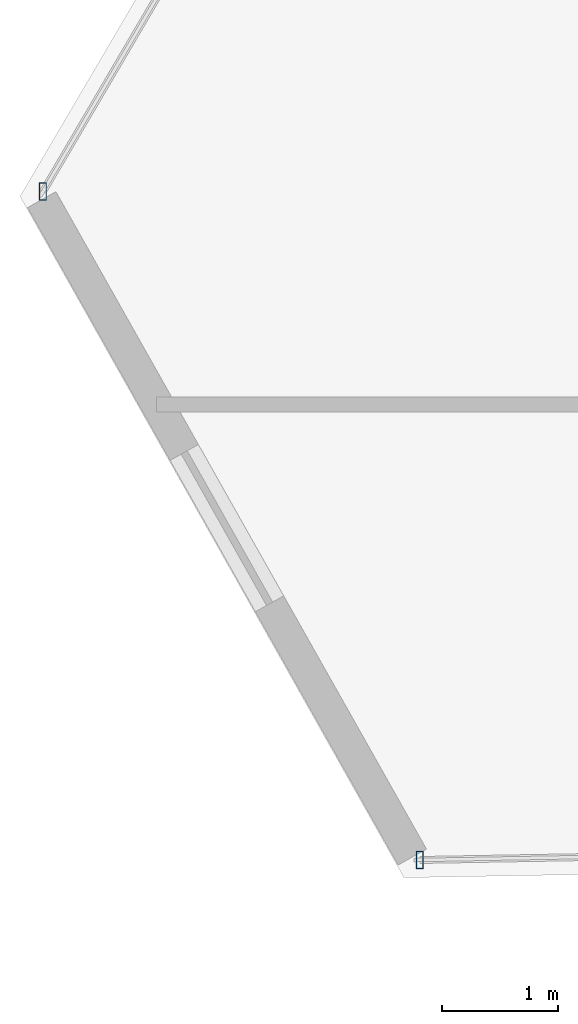
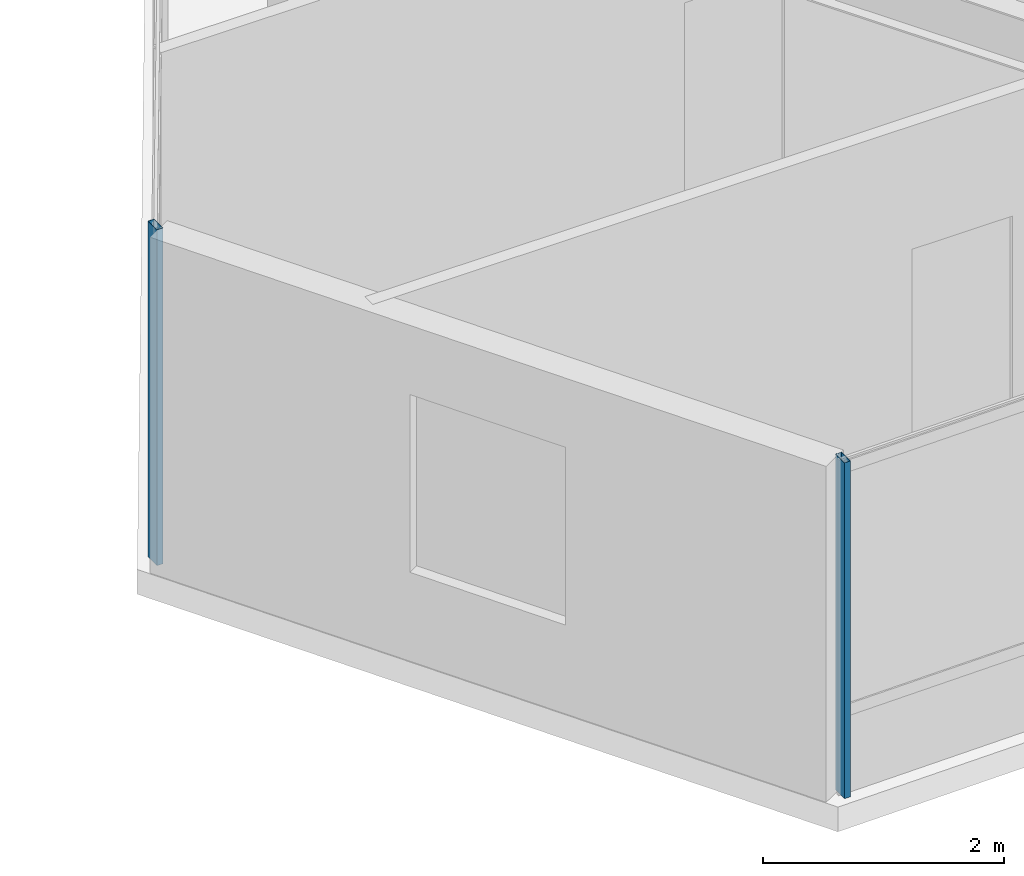
# One storey, part 3 of 42: 2 members, 2 elements without a shape of their own.
"""IFC4 building model written with IfcOpenShell, lengths in metres."""

from ifc_helpers import new_model, si_unit, direction, frame, origin, origin_2d, place, context, subcontext, project, spatial, hollow_rectangle, extrude, source, transform, mapped, material, material_profile, profile_set, type_object, type_shapes, element, aggregate, save


model = new_model("IFC4")

# Units and contexts
model_context = context("Model", 3, precision=1e-05, world=origin(), true_north=direction((0.0, 1.0)))
body_context = subcontext(model_context, "Body", "Model", "MODEL_VIEW")
ifc_project = project(units=[si_unit("LENGTHUNIT", "METRE"), si_unit("AREAUNIT", "SQUARE_METRE"), si_unit("VOLUMEUNIT", "CUBIC_METRE"), si_unit("PLANEANGLEUNIT", "RADIAN"), si_unit("MASSUNIT", "GRAM", prefix="KILO")], contexts=[model_context])

# Site, building, storey
site_placement = place(None, origin())
site = spatial("IfcSite", under=ifc_project, at=site_placement, CompositionType="ELEMENT")
building_placement = place(site_placement, origin())
building = spatial("IfcBuilding", under=site, at=building_placement, Name="Caelisora Broadcast Tower", CompositionType="ELEMENT")
storey_placement = place(building_placement, frame((0.0, 0.0, 195.0)))
storey = spatial("IfcBuildingStorey", under=building, at=storey_placement, Name="L51", CompositionType="ELEMENT", Elevation=195.0)

# Curtain wall, member
ifc_material_1 = material(Name="Unitised Aluminium and Low-E Glass Curtain Wall", Category="glass")
curtain_wall_type = type_object("IfcCurtainWallType", Name="CW-Z4", PredefinedType="NOTDEFINED", material=ifc_material_1)
curtain_wall_1_placement = place(storey_placement, origin())
curtain_wall_1 = element("IfcCurtainWall", 1, at=curtain_wall_1_placement, inside=storey, type_object=curtain_wall_type, Name="L51 curtain wall CW-Z4", PredefinedType="NOTDEFINED")
ifc_material_2 = material(Name="Aluminium 6063-T6 Anodised Terracotta Bronze", Category="aluminium")
ifc_material_profile = material_profile(ifc_material_2, hollow_rectangle(XDim=0.06005859375, YDim=0.14990234375, WallThickness=0.00341796875, at=origin_2d()), Name="Aluminium 6063-T6 Anodised Terracotta Bronze")
ifc_profile_set = profile_set([ifc_material_profile], Name="Aluminium 6063-T6 Anodised Terracotta Bronze")
member_type = type_object("IfcMemberType", Name="CWM-03", PredefinedType="MULLION", material=ifc_profile_set)
shared_shape = source(origin(), body_context, "Body", "SweptSolid", [
    extrude(hollow_rectangle(XDim=0.06005859375, YDim=0.14990234375, WallThickness=0.00341796875, at=origin_2d()), origin(), (0.0, 0.0, 1.0), 3.39990234375),
])
type_shapes(member_type, [shared_shape])
member_1_placement = place(storey_placement, frame((14.5859375, 6.727783203125, 0.0), z_axis=(0.0, 0.0, 1.0), x_axis=(1.0, 0.0, 0.0)))
member_1 = element("IfcMember", 2, at=member_1_placement, type_object=member_type, Name="L51-CW-B07 mullion #3", PredefinedType="MULLION", context=body_context, shape_type="MappedRepresentation", body=[
    mapped(shared_shape, transform((0.0, 0.0, 0.0), scale=1.0)),
])
aggregate(curtain_wall_1, [member_1])

curtain_wall_2_placement = place(storey_placement, origin())
curtain_wall_2 = element("IfcCurtainWall", 3, at=curtain_wall_2_placement, inside=storey, type_object=curtain_wall_type, Name="L51 curtain wall CW-Z4", PredefinedType="NOTDEFINED")
member_2_placement = place(storey_placement, frame((11.332275390625, 12.498046875, 0.0), z_axis=(0.0, 0.0, 1.0), x_axis=(1.0, 0.0, 0.0)))
member_2 = element("IfcMember", 4, at=member_2_placement, type_object=member_type, Name="L51-CW-B09 mullion #0", PredefinedType="MULLION", context=body_context, shape_type="MappedRepresentation", body=[
    mapped(shared_shape, transform((0.0, 0.0, 0.0), scale=1.0)),
])
aggregate(curtain_wall_2, [member_2])

save(model, "model.ifc")
